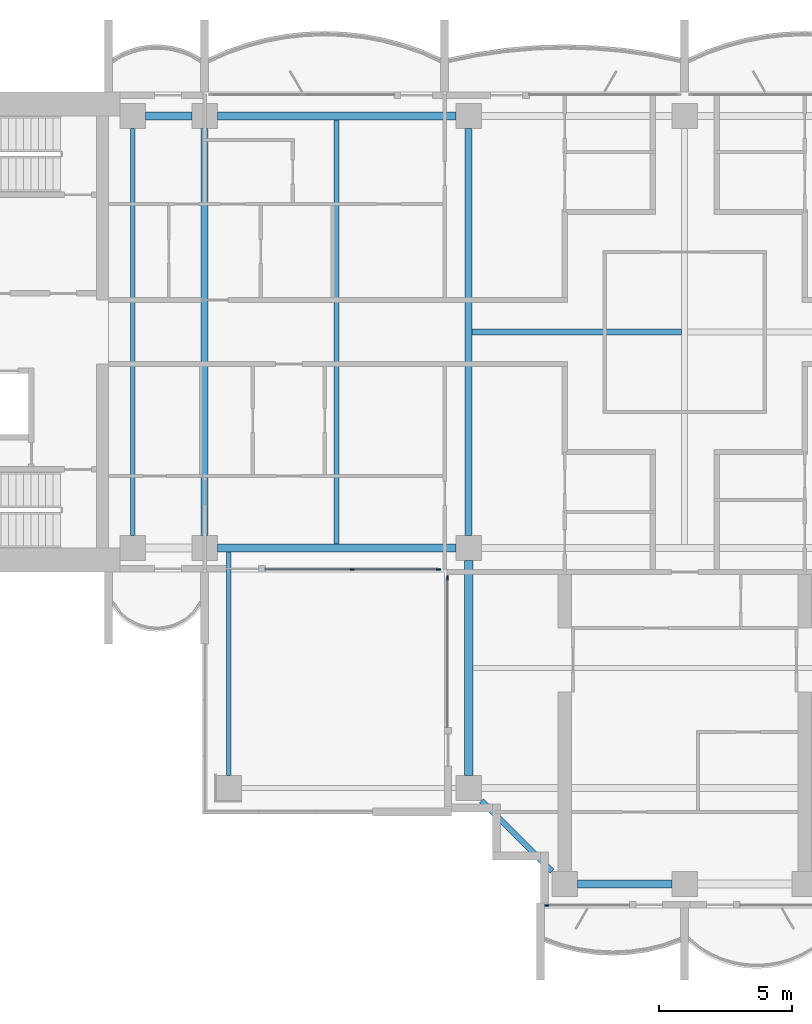
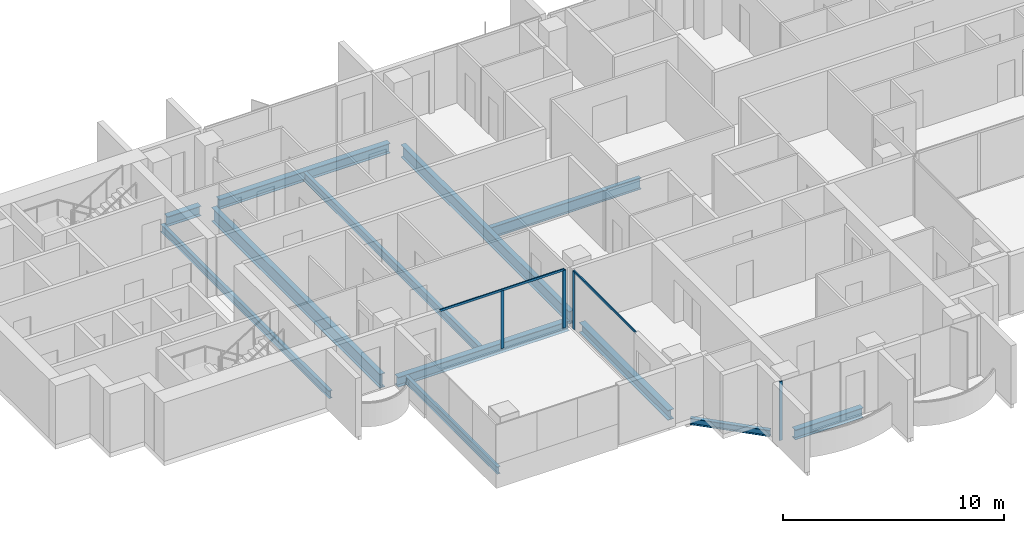
# One storey, part 2 of 18: 12 beams, 6 members, 3 elements without a shape of their own.
"""IFC4 building model written with IfcOpenShell, lengths in metres."""

from ifc_helpers import new_model, si_unit, direction, frame, origin, origin_2d, place, context, subcontext, project, spatial, rectangle, i_section, extrude, material, material_profile, profile_set, type_object, element, aggregate, save


model = new_model("IFC4")

# Units and contexts
model_context = context("Model", 3, precision=1e-05, world=origin(), true_north=direction((0.0, 1.0)))
body_context = subcontext(model_context, "Body", "Model", "MODEL_VIEW")
ifc_project = project(units=[si_unit("LENGTHUNIT", "METRE"), si_unit("AREAUNIT", "SQUARE_METRE"), si_unit("VOLUMEUNIT", "CUBIC_METRE"), si_unit("PLANEANGLEUNIT", "RADIAN"), si_unit("MASSUNIT", "GRAM", prefix="KILO")], contexts=[model_context])

# Site, building, storey
site_placement = place(None, origin())
site = spatial("IfcSite", under=ifc_project, at=site_placement, CompositionType="ELEMENT")
building_placement = place(site_placement, origin())
building = spatial("IfcBuilding", under=site, at=building_placement, Name="Perihelion Cross Residences", CompositionType="ELEMENT")
storey_placement = place(building_placement, frame((0.0, 0.0, 173.60009765625)))
storey = spatial("IfcBuildingStorey", under=building, at=storey_placement, Name="L42", CompositionType="ELEMENT", Elevation=173.60009765625)

# Curtain wall, members
ifc_material_1 = material(Name="Bronze anodised aluminium, tinted glazing", Category="aluminium")
curtain_wall_type = type_object("IfcCurtainWallType", Name="CW1", PredefinedType="NOTDEFINED", material=ifc_material_1)
curtain_wall_1_placement = place(storey_placement, origin())
curtain_wall_1 = element("IfcCurtainWall", 1, at=curtain_wall_1_placement, inside=storey, type_object=curtain_wall_type, Name="Curtain wall CW1 L42 west side south bay 2", PredefinedType="NOTDEFINED")
ifc_material_2 = material(Name="Bronze anodised aluminium", Category="aluminium")
ifc_material_profile_1 = material_profile(ifc_material_2, rectangle(XDim=0.06005859375, YDim=0.159912109375, at=origin_2d()), Name="CW1 mullion")
ifc_profile_set_1 = profile_set([ifc_material_profile_1], Name="Bronze anodised aluminium")
member_type_1 = type_object("IfcMemberType", Name="CW1 mullion", PredefinedType="MULLION", material=ifc_profile_set_1)
member_1_placement = place(storey_placement, frame((-12.46240234375, -8.89990234375, 0.0), z_axis=(0.0, 0.0, 1.0), x_axis=(0.0, 1.0, 0.0)))
member_1 = element("IfcMember", 2, at=member_1_placement, type_object=member_type_1, Name="CW1 mullion 2", PredefinedType="MULLION", context=body_context, shape_type="SweptSolid", body=[
    extrude(rectangle(XDim=0.06005859375, YDim=0.159912109375, at=origin_2d()), origin(), (0.0, 0.0, 1.0), 3.18994140625),
])
member_2_placement = place(storey_placement, frame((-9.22998046875, -8.89990234375, 0.0), z_axis=(0.0, 0.0, 1.0), x_axis=(0.0, 1.0, 0.0)))
member_2 = element("IfcMember", 3, at=member_2_placement, type_object=member_type_1, Name="CW1 mullion 3", PredefinedType="MULLION", context=body_context, shape_type="SweptSolid", body=[
    extrude(rectangle(XDim=0.06005859375, YDim=0.159912109375, at=origin_2d()), origin(), (0.0, 0.0, 1.0), 3.18994140625),
])

# Curtain wall, member
curtain_wall_2_placement = place(storey_placement, origin())
curtain_wall_2 = element("IfcCurtainWall", 4, at=curtain_wall_2_placement, inside=storey, type_object=curtain_wall_type, Name="Curtain wall CW1 L42 south side west bay 1", PredefinedType="NOTDEFINED")
member_3_placement = place(storey_placement, frame((-8.89990234375, -9.22998046875, 0.0), z_axis=(0.0, 0.0, 1.0), x_axis=(1.0, 0.0, 0.0)))
member_3 = element("IfcMember", 5, at=member_3_placement, type_object=member_type_1, Name="CW1 mullion 1", PredefinedType="MULLION", context=body_context, shape_type="SweptSolid", body=[
    extrude(rectangle(XDim=0.06005859375, YDim=0.159912109375, at=origin_2d()), origin(), (0.0, 0.0, 1.0), 3.18994140625),
])

curtain_wall_3_placement = place(storey_placement, origin())
curtain_wall_3 = element("IfcCurtainWall", 6, at=curtain_wall_3_placement, inside=storey, type_object=curtain_wall_type, Name="Curtain wall CW1 L42 south tip south bay 1", PredefinedType="NOTDEFINED")
member_4_placement = place(storey_placement, frame((-5.169921875, -21.5, 0.0), z_axis=(0.0, 0.0, 1.0), x_axis=(0.0, 1.0, 0.0)))
member_4 = element("IfcMember", 7, at=member_4_placement, type_object=member_type_1, Name="CW1 mullion 1", PredefinedType="MULLION", context=body_context, shape_type="SweptSolid", body=[
    extrude(rectangle(XDim=0.06005859375, YDim=0.159912109375, at=origin_2d()), origin(), (0.0, 0.0, 1.0), 3.25),
])
aggregate(curtain_wall_3, [member_4])

# Member
ifc_material_3 = material(Name="Bronze anodised aluminium", Category="aluminium")
ifc_material_profile_2 = material_profile(ifc_material_3, rectangle(XDim=0.06005859375, YDim=0.1201171875, at=origin_2d()), Name="CW1 transom")
ifc_profile_set_2 = profile_set([ifc_material_profile_2], Name="Bronze anodised aluminium")
member_type_2 = type_object("IfcMemberType", Name="CW1 transom", PredefinedType="USERDEFINED", material=ifc_profile_set_2)
member_5_placement = place(storey_placement, frame((-15.72509765625, -8.89990234375, 3.219970703125), z_axis=(1.0, 0.0, 0.0), x_axis=(0.0, 1.0, 0.0)))
member_5 = element("IfcMember", 8, at=member_5_placement, type_object=member_type_2, Name="CW1 head transom", ObjectType="TRANSOM", PredefinedType="USERDEFINED", context=body_context, shape_type="SweptSolid", body=[
    extrude(rectangle(XDim=0.06005859375, YDim=0.1201171875, at=origin_2d()), origin(), (0.0, 0.0, 1.0), 6.4951171875),
])

aggregate(curtain_wall_1, [member_1, member_2, member_5])

member_6_placement = place(storey_placement, frame((-8.89990234375, -9.22998046875, 3.219970703125), z_axis=(0.0, -1.0, 0.0), x_axis=(1.0, 0.0, 0.0)))
member_6 = element("IfcMember", 9, at=member_6_placement, type_object=member_type_2, Name="CW1 head transom", ObjectType="TRANSOM", PredefinedType="USERDEFINED", context=body_context, shape_type="SweptSolid", body=[
    extrude(rectangle(XDim=0.06005859375, YDim=0.1201171875, at=origin_2d()), origin(), (0.0, 0.0, 1.0), 5.594970703125),
])

aggregate(curtain_wall_2, [member_3, member_6])

# Beams
ifc_material_4 = material(Name="Steel S355", Category="steel")
ifc_material_profile_3 = material_profile(ifc_material_4, i_section(OverallWidth=0.177978515625, OverallDepth=0.406005859375, WebThickness=0.0078125, FlangeThickness=0.0126953125, at=origin_2d()), Name="W410x60")
ifc_profile_set_3 = profile_set([ifc_material_profile_3], Name="Steel S355")
beam_type_1 = type_object("IfcBeamType", Name="Core edge beam W410x60", PredefinedType="BEAM", material=ifc_profile_set_3)
beam_1_placement = place(storey_placement, frame((-17.10009765625, -8.256103515625, -0.453125), z_axis=(0.0, -1.0, 0.0), x_axis=(1.0, 0.0, 0.0)))
element("IfcBeam", 10, at=beam_1_placement, inside=storey, type_object=beam_type_1, Name="Core edge beam TB2 L42 corner no. 1", PredefinedType="BEAM", context=body_context, shape_type="SweptSolid", body=[
    extrude(i_section(OverallWidth=0.177978515625, OverallDepth=0.406005859375, WebThickness=0.0078125, FlangeThickness=0.0126953125, at=origin_2d()), origin(), (0.0, 0.0, 1.0), 8.368896484375),
])
ifc_material_5 = material(Name="Steel S355", Category="steel")
ifc_material_profile_4 = material_profile(ifc_material_5, i_section(OverallWidth=0.180908203125, OverallDepth=0.4169921875, WebThickness=0.010986328125, FlangeThickness=0.018310546875, at=origin_2d()), Name="W410x85")
ifc_profile_set_4 = profile_set([ifc_material_profile_4], Name="Steel S355")
beam_type_2 = type_object("IfcBeamType", Name="Core edge beam W410x85", PredefinedType="BEAM", material=ifc_profile_set_4)
beam_2_placement = place(storey_placement, frame((-20.699951171875, -7.625, -0.45849609375), z_axis=(0.0, 1.0, 0.0), x_axis=(-1.0, 0.0, 0.0)))
element("IfcBeam", 11, at=beam_2_placement, inside=storey, type_object=beam_type_2, Name="Core edge beam TB6 L42 no. 1", PredefinedType="BEAM", context=body_context, shape_type="SweptSolid", body=[
    extrude(i_section(OverallWidth=0.180908203125, OverallDepth=0.4169921875, WebThickness=0.010986328125, FlangeThickness=0.018310546875, at=origin_2d()), origin(), (0.0, 0.0, 1.0), 15.25),
])
ifc_material_6 = material(Name="Steel S355", Category="steel")
ifc_material_profile_5 = material_profile(ifc_material_6, i_section(OverallWidth=0.31201171875, OverallDepth=0.5439453125, WebThickness=0.0126953125, FlangeThickness=0.020263671875, at=origin_2d()), Name="W530x150")
ifc_profile_set_5 = profile_set([ifc_material_profile_5], Name="Steel S355")
beam_type_3 = type_object("IfcBeamType", Name="Edge beam W530x150", PredefinedType="SPANDREL", material=ifc_profile_set_5)
beam_3_placement = place(storey_placement, frame((-8.574951171875, 8.10009765625, -0.522216796875), z_axis=(-1.0, 0.0, 0.0), x_axis=(0.0, -1.0, 0.0)))
element("IfcBeam", 12, at=beam_3_placement, inside=storey, type_object=beam_type_3, Name="Edge beam SB4 L42 no. 6", PredefinedType="SPANDREL", context=body_context, shape_type="SweptSolid", body=[
    extrude(i_section(OverallWidth=0.31201171875, OverallDepth=0.5439453125, WebThickness=0.0126953125, FlangeThickness=0.020263671875, at=origin_2d()), origin(), (0.0, 0.0, 1.0), 8.949951171875),
])
beam_4_placement = place(storey_placement, frame((-18.47509765625, 8.10009765625, -0.522216796875), z_axis=(-1.0, 0.0, 0.0), x_axis=(0.0, -1.0, 0.0)))
element("IfcBeam", 13, at=beam_4_placement, inside=storey, type_object=beam_type_3, Name="Edge beam SB4 L42 no. 2", PredefinedType="SPANDREL", context=body_context, shape_type="SweptSolid", body=[
    extrude(i_section(OverallWidth=0.31201171875, OverallDepth=0.5439453125, WebThickness=0.0126953125, FlangeThickness=0.020263671875, at=origin_2d()), origin(), (0.0, 0.0, 1.0), 1.75),
])
beam_5_placement = place(storey_placement, frame((-17.52490234375, -8.10009765625, -0.522216796875), z_axis=(1.0, 0.0, 0.0), x_axis=(0.0, 1.0, 0.0)))
element("IfcBeam", 14, at=beam_5_placement, inside=storey, type_object=beam_type_3, Name="Edge beam SB4 L42 no. 1", PredefinedType="SPANDREL", context=body_context, shape_type="SweptSolid", body=[
    extrude(i_section(OverallWidth=0.31201171875, OverallDepth=0.5439453125, WebThickness=0.0126953125, FlangeThickness=0.020263671875, at=origin_2d()), origin(), (0.0, 0.0, 1.0), 8.949951171875),
])
beam_6_placement = place(storey_placement, frame((-8.10009765625, -8.574951171875, -0.522216796875), z_axis=(0.0, -1.0, 0.0), x_axis=(1.0, 0.0, 0.0)))
element("IfcBeam", 15, at=beam_6_placement, inside=storey, type_object=beam_type_3, Name="Edge beam SB4 L42 no. 5", PredefinedType="SPANDREL", context=body_context, shape_type="SweptSolid", body=[
    extrude(i_section(OverallWidth=0.31201171875, OverallDepth=0.5439453125, WebThickness=0.0126953125, FlangeThickness=0.020263671875, at=origin_2d()), origin(), (0.0, 0.0, 1.0), 8.050048828125),
])
beam_7_placement = place(storey_placement, frame((-4.02490234375, -20.699951171875, -0.522216796875), z_axis=(1.0, 0.0, 0.0), x_axis=(0.0, 1.0, 0.0)))
element("IfcBeam", 16, at=beam_7_placement, inside=storey, type_object=beam_type_3, Name="Edge beam SB4 L42 no. 4", PredefinedType="SPANDREL", context=body_context, shape_type="SweptSolid", body=[
    extrude(i_section(OverallWidth=0.31201171875, OverallDepth=0.5439453125, WebThickness=0.0126953125, FlangeThickness=0.020263671875, at=origin_2d()), origin(), (0.0, 0.0, 1.0), 3.5498046875),
])
ifc_material_7 = material(Name="Steel S355", Category="steel")
ifc_material_profile_6 = material_profile(ifc_material_7, i_section(OverallWidth=0.26708984375, OverallDepth=0.77001953125, WebThickness=0.015625, FlangeThickness=0.025390625, at=origin_2d()), Name="W760x196")
ifc_profile_set_6 = profile_set([ifc_material_profile_6], Name="Steel S355")
beam_type_4 = type_object("IfcBeamType", Name="Floor girder W760x196", PredefinedType="BEAM", material=ifc_profile_set_6)
beam_8_placement = place(storey_placement, frame((-18.0, -7.625, -0.635009765625), z_axis=(0.0, 1.0, 0.0), x_axis=(-1.0, 0.0, 0.0)))
element("IfcBeam", 17, at=beam_8_placement, inside=storey, type_object=beam_type_4, Name="Girder G4 L42 no. 1", PredefinedType="BEAM", context=body_context, shape_type="SweptSolid", body=[
    extrude(i_section(OverallWidth=0.26708984375, OverallDepth=0.77001953125, WebThickness=0.015625, FlangeThickness=0.025390625, at=origin_2d()), origin(), (0.0, 0.0, 1.0), 15.25),
])
ifc_material_8 = material(Name="Steel S355", Category="steel")
ifc_material_profile_7 = material_profile(ifc_material_8, i_section(OverallWidth=0.19091796875, OverallDepth=0.45703125, WebThickness=0.009033203125, FlangeThickness=0.014404296875, at=origin_2d()), Name="W460x74")
ifc_profile_set_7 = profile_set([ifc_material_profile_7], Name="Steel S355")
beam_type_5 = type_object("IfcBeamType", Name="Floor joist W460x74", PredefinedType="JOIST", material=ifc_profile_set_7)
beam_9_placement = place(storey_placement, frame((-13.050048828125, -7.944091796875, -0.478515625), z_axis=(0.0, 1.0, 0.0), x_axis=(-1.0, 0.0, 0.0)))
element("IfcBeam", 18, at=beam_9_placement, inside=storey, type_object=beam_type_5, Name="Joist J5 L42 no. 1", PredefinedType="JOIST", context=body_context, shape_type="SweptSolid", body=[
    extrude(i_section(OverallWidth=0.19091796875, OverallDepth=0.45703125, WebThickness=0.009033203125, FlangeThickness=0.014404296875, at=origin_2d()), origin(), (0.0, 0.0, 1.0), 15.88818359375),
])
ifc_material_9 = material(Name="Steel S355", Category="steel")
ifc_material_profile_8 = material_profile(ifc_material_9, i_section(OverallWidth=0.22900390625, OverallDepth=0.612060546875, WebThickness=0.011962890625, FlangeThickness=0.01953125, at=origin_2d()), Name="W610x125")
ifc_profile_set_8 = profile_set([ifc_material_profile_8], Name="Steel S355")
beam_type_6 = type_object("IfcBeamType", Name="Hub cross beam W610x125", PredefinedType="BEAM", material=ifc_profile_set_8)
beam_10_placement = place(storey_placement, frame((-7.971435546875, 0.0, -0.55615234375), z_axis=(1.0, 0.0, 0.0), x_axis=(0.0, 1.0, 0.0)))
element("IfcBeam", 19, at=beam_10_placement, inside=storey, type_object=beam_type_6, Name="Hub cross beam XB4 L42 1 no. 1", PredefinedType="BEAM", context=body_context, shape_type="SweptSolid", body=[
    extrude(i_section(OverallWidth=0.22900390625, OverallDepth=0.612060546875, WebThickness=0.011962890625, FlangeThickness=0.01953125, at=origin_2d()), origin(), (0.0, 0.0, 1.0), 7.85693359375),
])
ifc_material_10 = material(Name="Steel S355", Category="steel")
ifc_material_profile_9 = material_profile(ifc_material_10, i_section(OverallWidth=0.257080078125, OverallDepth=0.693115234375, WebThickness=0.014404296875, FlangeThickness=0.023681640625, at=origin_2d()), Name="W690x170")
ifc_profile_set_9 = profile_set([ifc_material_profile_9], Name="Steel S355")
beam_type_7 = type_object("IfcBeamType", Name="Hub ring girder W690x170", PredefinedType="BEAM", material=ifc_profile_set_9)
beam_11_placement = place(storey_placement, frame((-8.10009765625, 7.625, -0.5966796875), z_axis=(0.0, -1.0, 0.0), x_axis=(1.0, 0.0, 0.0)))
element("IfcBeam", 20, at=beam_11_placement, inside=storey, type_object=beam_type_7, Name="Hub ring girder RG4 L42 no. 2", PredefinedType="BEAM", context=body_context, shape_type="SweptSolid", body=[
    extrude(i_section(OverallWidth=0.257080078125, OverallDepth=0.693115234375, WebThickness=0.014404296875, FlangeThickness=0.023681640625, at=origin_2d()), origin(), (0.0, 0.0, 1.0), 15.25),
])
ifc_material_11 = material(Name="Steel S355", Category="steel")
ifc_material_profile_10 = material_profile(ifc_material_11, i_section(OverallWidth=0.205078125, OverallDepth=0.35302734375, WebThickness=0.009521484375, FlangeThickness=0.016845703125, at=origin_2d()), Name="W360x79")
ifc_profile_set_10 = profile_set([ifc_material_profile_10], Name="Steel S355")
beam_type_8 = type_object("IfcBeamType", Name="Serration edge beam W360x79", PredefinedType="BEAM", material=ifc_profile_set_10)
beam_12_placement = place(storey_placement, frame((-7.625, -17.574951171875, -0.426513671875), z_axis=(0.70707420838, -0.707139352493, 0.0), x_axis=(0.707139352493, 0.70707420838, 0.0)))
element("IfcBeam", 21, at=beam_12_placement, inside=storey, type_object=beam_type_8, Name="Serration edge beam EB4 L42 no. 1", PredefinedType="BEAM", context=body_context, shape_type="SweptSolid", body=[
    extrude(i_section(OverallWidth=0.205078125, OverallDepth=0.35302734375, WebThickness=0.009521484375, FlangeThickness=0.016845703125, at=origin_2d()), origin(), (0.0, 0.0, 1.0), 3.747802734375),
])

save(model, "model.ifc")
